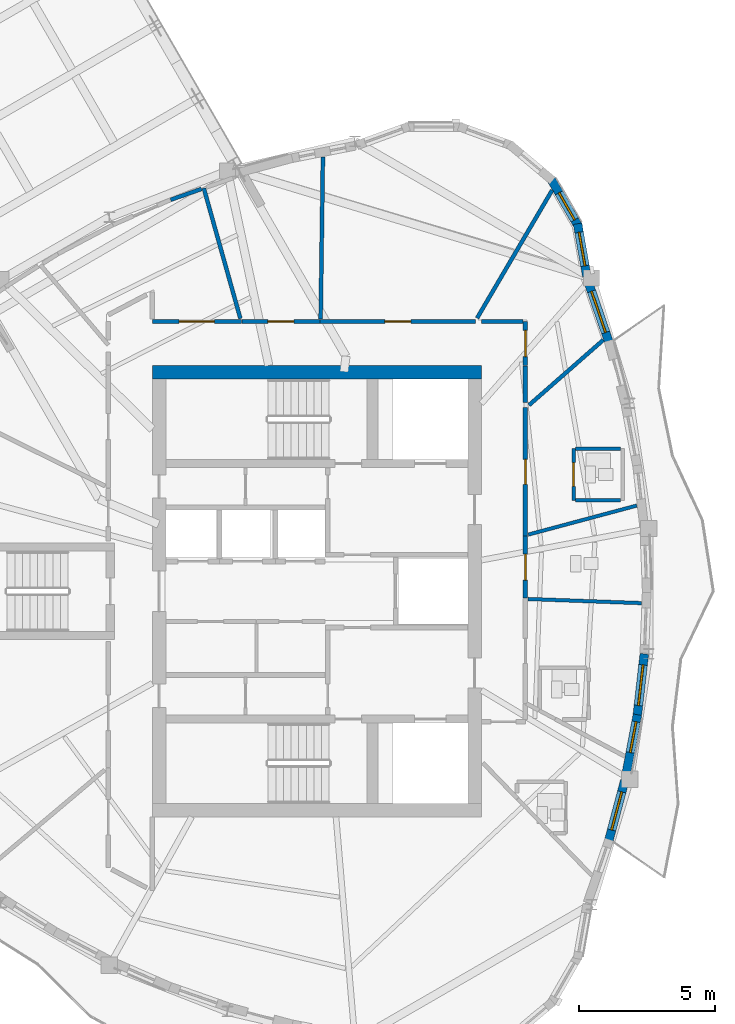
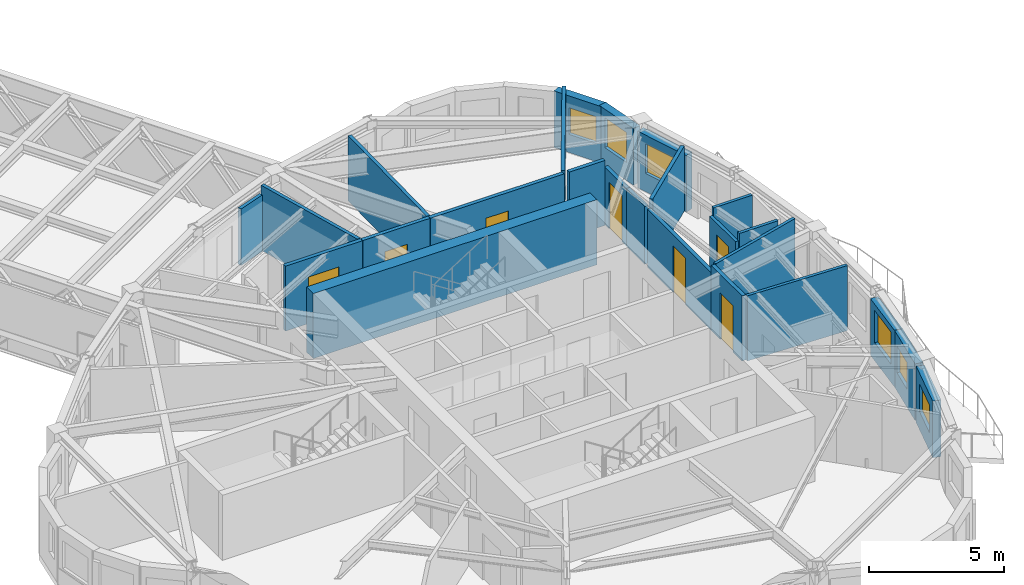
# One storey, part 9 of 14: 25 walls, 7 doors, 6 windows, 13 openings.
"""IFC4 building model written with IfcOpenShell, lengths in metres."""

from ifc_helpers import new_model, si_unit, direction, frame, frame_2d, origin, place, context, subcontext, project, spatial, rectangle, extrude, source, transform, mapped, material, layer, layer_set, type_object, element, fill, save


model = new_model("IFC4")

# Units and contexts
model_context = context("Model", 3, precision=1e-05, world=origin(), true_north=direction((0.0, 1.0)))
body_context = subcontext(model_context, "Body", "Model", "MODEL_VIEW")
ifc_project = project(units=[si_unit("LENGTHUNIT", "METRE"), si_unit("AREAUNIT", "SQUARE_METRE"), si_unit("VOLUMEUNIT", "CUBIC_METRE"), si_unit("PLANEANGLEUNIT", "RADIAN"), si_unit("MASSUNIT", "GRAM", prefix="KILO")], contexts=[model_context])

# Site, building, storey
site_placement = place(None, origin())
site = spatial("IfcSite", under=ifc_project, at=site_placement, CompositionType="ELEMENT")
building_placement = place(site_placement, origin())
building = spatial("IfcBuilding", under=site, at=building_placement, Name="Qafzar Sky-Pleat Residences", CompositionType="ELEMENT")
storey_placement = place(building_placement, frame((0.0, 0.0, 205.199951171875)))
storey = spatial("IfcBuildingStorey", under=building, at=storey_placement, Name="L61", CompositionType="ELEMENT", Elevation=205.199951171875)

# Wall, opening, door
ifc_material_1 = material(Name="Acoustic gypsum plasterboard partition", Category="gypsum")
ifc_layer_1 = layer(ifc_material_1, 0.159912109375)
ifc_layer_set_1 = layer_set([ifc_layer_1], Name="Acoustic gypsum plasterboard partition")
wall_type_1 = type_object("IfcWallType", Name="PART-COR-160", PredefinedType="PARTITIONING", material=ifc_layer_set_1)
wall_1_placement = place(storey_placement, frame((30.47412109375, 35.919921875, 0.0), z_axis=(0.0, 0.0, 1.0), x_axis=(1.0, 0.0, 0.0)))
wall_1 = element("IfcWall", 1, at=wall_1_placement, inside=storey, type_object=wall_type_1, Name="L61 Partition Wall PART-L61-PW-002", PredefinedType="PARTITIONING", context=body_context, shape_type="SweptSolid", body=[
    extrude(rectangle(XDim=5.712890625, YDim=0.159912109375, at=frame_2d((2.8564453125, 0.0))), origin(), (0.0, 0.0, 1.0), 2.93505859375),
])
opening_1_placement = place(wall_1_placement, frame((2.375, 0.0, 0.0)))
opening_1 = element("IfcOpeningElement", 2, at=opening_1_placement, cuts=wall_1, Name="Opening ID-06", PredefinedType="OPENING", context=body_context, shape_type="SweptSolid", body=[
    extrude(rectangle(XDim=0.9599609375, YDim=2.10009765625, at=frame_2d((0.47998046875, 1.050048828125))), frame((0.0, 0.08984375, 0.0), z_axis=(0.0, -1.0, 0.0), x_axis=(1.0, 0.0, 0.0)), (0.0, 0.0, 1.0), 0.179931640625),
])
ifc_material_2 = material(Name="Timber-faced fire door", Category="wood")
door_type_1 = type_object("IfcDoorType", Name="DR-STD-960", OperationType="NOTDEFINED", PredefinedType="DOOR", material=ifc_material_2)
shared_shape_1 = source(origin(), body_context, "Body", "SweptSolid", [
    extrude(rectangle(XDim=0.9599609375, YDim=2.10009765625, at=frame_2d((0.47998046875, 1.050048828125))), frame((0.0, 0.02490234375, 0.0), z_axis=(0.0, -1.0, 0.0), x_axis=(1.0, 0.0, 0.0)), (0.0, 0.0, 1.0), 0.050048828125),
])
door_1_placement = place(opening_1_placement, origin())
door_1 = element("IfcDoor", 3, at=door_1_placement, inside=storey, type_object=door_type_1, Name="L61 Wellness Yoga Studio Door", OperationType="SINGLE_SWING_LEFT", OverallHeight=2.10009765625, OverallWidth=0.9599609375, PredefinedType="DOOR", context=body_context, shape_type="MappedRepresentation", body=[
    mapped(shared_shape_1, transform((0.0, 0.0, 0.0), x_axis=(1.0, 0.0, 0.0), y_axis=(0.0, 1.0, 0.0), z_axis=(0.0, 0.0, 1.0), scale=1.0)),
])
fill(opening_1, door_1)

wall_2_placement = place(storey_placement, frame((38.02001953125, 32.748046875, 0.0), z_axis=(0.0, 0.0, 1.0), x_axis=(0.0, -1.0, 0.0)))
wall_2 = element("IfcWall", 4, at=wall_2_placement, inside=storey, type_object=wall_type_1, Name="L61 Partition Wall PART-L61-PW-003", PredefinedType="PARTITIONING", context=body_context, shape_type="SweptSolid", body=[
    extrude(rectangle(XDim=4.7099609375, YDim=0.159912109375, at=frame_2d((2.35498046875, 0.0))), origin(), (0.0, 0.0, 1.0), 2.60302734375),
])
opening_2_placement = place(wall_2_placement, frame((1.89697265625, 0.0, 0.0)))
opening_2 = element("IfcOpeningElement", 5, at=opening_2_placement, cuts=wall_2, Name="Opening ID-04", PredefinedType="OPENING", context=body_context, shape_type="SweptSolid", body=[
    extrude(rectangle(XDim=0.919921875, YDim=2.10009765625, at=frame_2d((0.4599609375, 1.050048828125))), frame((0.0, 0.08984375, 0.0), z_axis=(0.0, -1.0, 0.0), x_axis=(1.0, 0.0, 0.0)), (0.0, 0.0, 1.0), 0.179931640625),
])
door_type_2 = type_object("IfcDoorType", Name="DR-BED-920", OperationType="NOTDEFINED", PredefinedType="DOOR", material=ifc_material_2)
shared_shape_2 = source(origin(), body_context, "Body", "SweptSolid", [
    extrude(rectangle(XDim=0.919921875, YDim=2.10009765625, at=frame_2d((0.4599609375, 1.050048828125))), frame((0.0, 0.02490234375, 0.0), z_axis=(0.0, -1.0, 0.0), x_axis=(1.0, 0.0, 0.0)), (0.0, 0.0, 1.0), 0.050048828125),
])
door_2_placement = place(opening_2_placement, origin())
door_2 = element("IfcDoor", 6, at=door_2_placement, inside=storey, type_object=door_type_2, Name="L61 Co-Living Bedroom 3 Door", OperationType="SINGLE_SWING_RIGHT", OverallHeight=2.10009765625, OverallWidth=0.919921875, PredefinedType="DOOR", context=body_context, shape_type="MappedRepresentation", body=[
    mapped(shared_shape_2, transform((0.0, 0.0, 0.0), x_axis=(1.0, 0.0, 0.0), y_axis=(0.0, 1.0, 0.0), z_axis=(0.0, 0.0, 1.0), scale=1.0)),
])
fill(opening_2, door_2)

wall_3_placement = place(storey_placement, frame((24.300048828125, 35.919921875, 0.0), z_axis=(0.0, 0.0, 1.0), x_axis=(1.0, 0.0, 0.0)))
wall_3 = element("IfcWall", 7, at=wall_3_placement, inside=storey, type_object=wall_type_1, Name="L61 Partition Wall PART-L61-PW-008", PredefinedType="PARTITIONING", context=body_context, shape_type="SweptSolid", body=[
    extrude(rectangle(XDim=3.282958984375, YDim=0.159912109375, at=frame_2d((1.6416015625, 0.0))), origin(), (0.0, 0.0, 1.0), 2.93505859375),
])
opening_3_placement = place(wall_3_placement, frame((0.98388671875, 0.0, 0.0)))
opening_3 = element("IfcOpeningElement", 8, at=opening_3_placement, cuts=wall_3, Name="Opening ID-05", PredefinedType="OPENING", context=body_context, shape_type="SweptSolid", body=[
    extrude(rectangle(XDim=1.300048828125, YDim=2.10009765625, at=frame_2d((0.64990234375, 1.050048828125))), frame((0.0, 0.08984375, 0.0), z_axis=(0.0, -1.0, 0.0), x_axis=(1.0, 0.0, 0.0)), (0.0, 0.0, 1.0), 0.179931640625),
])
door_type_3 = type_object("IfcDoorType", Name="DR-LNG-1300", OperationType="DOUBLE_DOOR_SINGLE_SWING", PredefinedType="DOOR", material=ifc_material_2)
shared_shape_3 = source(origin(), body_context, "Body", "SweptSolid", [
    extrude(rectangle(XDim=1.300048828125, YDim=2.10009765625, at=frame_2d((0.64990234375, 1.050048828125))), frame((0.0, 0.02490234375, 0.0), z_axis=(0.0, -1.0, 0.0), x_axis=(1.0, 0.0, 0.0)), (0.0, 0.0, 1.0), 0.050048828125),
])
door_3_placement = place(opening_3_placement, origin())
door_3 = element("IfcDoor", 9, at=door_3_placement, inside=storey, type_object=door_type_3, Name="L61 Co-Living Lounge Door", OperationType="DOUBLE_DOOR_SINGLE_SWING", OverallHeight=2.10009765625, OverallWidth=1.300048828125, PredefinedType="DOOR", context=body_context, shape_type="MappedRepresentation", body=[
    mapped(shared_shape_3, transform((0.0, 0.0, 0.0), x_axis=(1.0, 0.0, 0.0), y_axis=(0.0, 1.0, 0.0), z_axis=(0.0, 0.0, 1.0), scale=1.0)),
])
fill(opening_3, door_3)

wall_4_placement = place(storey_placement, frame((27.597900390625, 35.919921875, 0.0), z_axis=(0.0, 0.0, 1.0), x_axis=(1.0, 0.0, 0.0)))
wall_4 = element("IfcWall", 10, at=wall_4_placement, inside=storey, type_object=wall_type_1, Name="L61 Partition Wall PART-L61-PW-009", PredefinedType="PARTITIONING", context=body_context, shape_type="SweptSolid", body=[
    extrude(rectangle(XDim=2.861083984375, YDim=0.159912109375, at=frame_2d((1.4306640625, 0.0))), origin(), (0.0, 0.0, 1.0), 2.93505859375),
])
opening_4_placement = place(wall_4_placement, frame((0.949951171875, 0.0, 0.0)))
opening_4 = element("IfcOpeningElement", 11, at=opening_4_placement, cuts=wall_4, Name="Opening ID-06", PredefinedType="OPENING", context=body_context, shape_type="SweptSolid", body=[
    extrude(rectangle(XDim=0.9599609375, YDim=2.10009765625, at=frame_2d((0.47998046875, 1.050048828125))), frame((0.0, 0.08984375, 0.0), z_axis=(0.0, -1.0, 0.0), x_axis=(1.0, 0.0, 0.0)), (0.0, 0.0, 1.0), 0.179931640625),
])
door_4_placement = place(opening_4_placement, origin())
door_4 = element("IfcDoor", 12, at=door_4_placement, inside=storey, type_object=door_type_1, Name="L61 Quiet Prayer Room Door", OperationType="SINGLE_SWING_LEFT", OverallHeight=2.10009765625, OverallWidth=0.9599609375, PredefinedType="DOOR", context=body_context, shape_type="MappedRepresentation", body=[
    mapped(shared_shape_1, transform((0.0, 0.0, 0.0), x_axis=(1.0, 0.0, 0.0), y_axis=(0.0, 1.0, 0.0), z_axis=(0.0, 0.0, 1.0), scale=1.0)),
])
fill(opening_4, door_4)

wall_5_placement = place(storey_placement, frame((38.02001953125, 28.02294921875, 0.0), z_axis=(0.0, 0.0, 1.0), x_axis=(0.0, -1.0, 0.0)))
wall_5 = element("IfcWall", 13, at=wall_5_placement, inside=storey, type_object=wall_type_1, Name="L61 Partition Wall PART-L61-PW-011", PredefinedType="PARTITIONING", context=body_context, shape_type="SweptSolid", body=[
    extrude(rectangle(XDim=2.27490234375, YDim=0.159912109375, at=frame_2d((1.137451171875, 0.0))), origin(), (0.0, 0.0, 1.0), 2.93505859375),
])
opening_5_placement = place(wall_5_placement, frame((0.662109375, 0.0, 0.0)))
opening_5 = element("IfcOpeningElement", 14, at=opening_5_placement, cuts=wall_5, Name="Opening ID-08", PredefinedType="OPENING", context=body_context, shape_type="SweptSolid", body=[
    extrude(rectangle(XDim=0.949951171875, YDim=2.10009765625, at=frame_2d((0.47509765625, 1.050048828125))), frame((0.0, 0.08984375, 0.0), z_axis=(0.0, -1.0, 0.0), x_axis=(1.0, 0.0, 0.0)), (0.0, 0.0, 1.0), 0.179931640625),
])
door_type_4 = type_object("IfcDoorType", Name="DR-AWC-950", OperationType="NOTDEFINED", PredefinedType="DOOR", material=ifc_material_2)
shared_shape_4 = source(origin(), body_context, "Body", "SweptSolid", [
    extrude(rectangle(XDim=0.949951171875, YDim=2.10009765625, at=frame_2d((0.47509765625, 1.050048828125))), frame((0.0, 0.02490234375, 0.0), z_axis=(0.0, -1.0, 0.0), x_axis=(1.0, 0.0, 0.0)), (0.0, 0.0, 1.0), 0.050048828125),
])
door_5_placement = place(opening_5_placement, origin())
door_5 = element("IfcDoor", 15, at=door_5_placement, inside=storey, type_object=door_type_4, Name="L61 Accessible Shared Washroom Door", OperationType="SINGLE_SWING_LEFT", OverallHeight=2.10009765625, OverallWidth=0.949951171875, PredefinedType="DOOR", context=body_context, shape_type="MappedRepresentation", body=[
    mapped(shared_shape_4, transform((0.0, 0.0, 0.0), x_axis=(1.0, 0.0, 0.0), y_axis=(0.0, 1.0, 0.0), z_axis=(0.0, 0.0, 1.0), scale=1.0)),
])
fill(opening_5, door_5)

wall_6_placement = place(storey_placement, frame((38.02001953125, 35.919921875, 0.0), z_axis=(0.0, 0.0, 1.0), x_axis=(0.0, -1.0, 0.0)))
wall_6 = element("IfcWall", 16, at=wall_6_placement, inside=storey, type_object=wall_type_1, Name="L61 Partition Wall PART-L61-PW-017", PredefinedType="PARTITIONING", context=body_context, shape_type="SweptSolid", body=[
    extrude(rectangle(XDim=1.619873046875, YDim=0.159912109375, at=frame_2d((0.81005859375, 0.0))), origin(), (0.0, 0.0, 1.0), 2.60302734375),
])
opening_6_placement = place(wall_6_placement, frame((0.330078125, 0.0, 0.0)))
opening_6 = element("IfcOpeningElement", 17, at=opening_6_placement, cuts=wall_6, Name="Opening ID-06", PredefinedType="OPENING", context=body_context, shape_type="SweptSolid", body=[
    extrude(rectangle(XDim=0.9599609375, YDim=2.10009765625, at=frame_2d((0.47998046875, 1.050048828125))), frame((0.0, 0.08984375, 0.0), z_axis=(0.0, -1.0, 0.0), x_axis=(1.0, 0.0, 0.0)), (0.0, 0.0, 1.0), 0.179931640625),
])
door_6_placement = place(opening_6_placement, origin())
door_6 = element("IfcDoor", 18, at=door_6_placement, inside=storey, type_object=door_type_1, Name="L61 Communal Kitchen Door", OperationType="SINGLE_SWING_LEFT", OverallHeight=2.10009765625, OverallWidth=0.9599609375, PredefinedType="DOOR", context=body_context, shape_type="MappedRepresentation", body=[
    mapped(shared_shape_1, transform((0.0, 0.0, 0.0), x_axis=(1.0, 0.0, 0.0), y_axis=(0.0, 1.0, 0.0), z_axis=(0.0, 0.0, 1.0), scale=1.0)),
])
fill(opening_6, door_6)

# Walls
wall_7_placement = place(storey_placement, frame((36.39990234375, 35.919921875, 0.0), z_axis=(0.0, 0.0, 1.0), x_axis=(1.0, 0.0, 0.0)))
element("IfcWall", 19, at=wall_7_placement, inside=storey, type_object=wall_type_1, Name="L61 Partition Wall PART-L61-PW-039", PredefinedType="PARTITIONING", context=body_context, shape_type="SweptSolid", body=[
    extrude(rectangle(XDim=1.531982421875, YDim=0.159912109375, at=frame_2d((0.76611328125, 0.0))), origin(), (0.0, 0.0, 1.0), 2.93505859375),
])
wall_8_placement = place(storey_placement, frame((38.02001953125, 32.9375, 0.0), z_axis=(0.0, 0.0, 1.0), x_axis=(0.0, 1.0, 0.0)))
element("IfcWall", 20, at=wall_8_placement, inside=storey, type_object=wall_type_1, Name="L61 Partition Wall PART-L61-PW-043", PredefinedType="PARTITIONING", context=body_context, shape_type="SweptSolid", body=[
    extrude(rectangle(XDim=1.347412109375, YDim=0.159912109375, at=frame_2d((0.673828125, 0.0))), origin(), (0.0, 0.0, 1.0), 2.60302734375),
])
ifc_layer_2 = layer(ifc_material_1, 0.14501953125)
ifc_layer_set_2 = layer_set([ifc_layer_2], Name="Acoustic gypsum plasterboard partition")
wall_type_2 = type_object("IfcWallType", Name="PART-UNIT-145", PredefinedType="PARTITIONING", material=ifc_layer_set_2)
wall_9_placement = place(storey_placement, frame((30.4892578125, 36.009033203125, 0.0), z_axis=(0.0, 0.0, 1.0), x_axis=(0.013978627514, 0.999902294213, 0.0)))
element("IfcWall", 21, at=wall_9_placement, inside=storey, type_object=wall_type_2, Name="L61 Partition Wall PART-L61-PW-020", PredefinedType="PARTITIONING", context=body_context, shape_type="SweptSolid", body=[
    extrude(rectangle(XDim=5.95556640625, YDim=0.14501953125, at=frame_2d((2.977783203125, 0.0))), origin(), (0.0, 0.0, 1.0), 2.93505859375),
])
wall_10_placement = place(storey_placement, frame((36.242431640625, 36.043701171875, 0.0), z_axis=(0.0, 0.0, 1.0), x_axis=(0.50599508157, 0.862536362959, 0.0)))
element("IfcWall", 22, at=wall_10_placement, inside=storey, type_object=wall_type_2, Name="L61 Partition Wall PART-L61-PW-021", PredefinedType="PARTITIONING", context=body_context, shape_type="SweptSolid", body=[
    extrude(rectangle(XDim=5.4560546875, YDim=0.14501953125, at=frame_2d((2.72802734375, 0.0))), origin(), (0.0, 0.0, 1.0), 2.93505859375),
])
wall_11_placement = place(storey_placement, frame((26.19189453125, 40.822998046875, 0.0), z_axis=(0.0, 0.0, 1.0), x_axis=(0.270218926069, -0.962798905273, 0.0)))
element("IfcWall", 23, at=wall_11_placement, inside=storey, type_object=wall_type_2, Name="L61 Partition Wall PART-L61-PW-023", PredefinedType="PARTITIONING", context=body_context, shape_type="SweptSolid", body=[
    extrude(rectangle(XDim=4.98095703125, YDim=0.14501953125, at=frame_2d((2.490478515625, 0.0))), origin(), (0.0, 0.0, 1.0), 2.93505859375),
])
wall_12_placement = place(storey_placement, frame((38.15380859375, 32.845458984375, 0.0), z_axis=(0.0, 0.0, 1.0), x_axis=(0.751793032372, 0.659399148071, 0.0)))
element("IfcWall", 24, at=wall_12_placement, inside=storey, type_object=wall_type_2, Name="L61 Partition Wall PART-L61-PW-027", PredefinedType="PARTITIONING", context=body_context, shape_type="SweptSolid", body=[
    extrude(rectangle(XDim=3.630615234375, YDim=0.14501953125, at=frame_2d((1.8154296875, 0.0))), origin(), (0.0, 0.0, 1.0), 2.93505859375),
])
wall_13_placement = place(storey_placement, frame((24.97314453125, 40.39697265625, 0.0), z_axis=(0.0, 0.0, 1.0), x_axis=(0.943987684609, 0.329980683232, 0.0)))
element("IfcWall", 25, at=wall_13_placement, inside=storey, type_object=wall_type_2, Name="L61 Partition Wall PART-L61-PW-045", PredefinedType="PARTITIONING", context=body_context, shape_type="SweptSolid", body=[
    extrude(rectangle(XDim=1.2060546875, YDim=0.14501953125, at=frame_2d((0.60302734375, 0.0))), origin(), (0.0, 0.0, 1.0), 2.54296875),
])

# Wall, opening, door
ifc_material_3 = material(Name="Moisture-resistant gypsum partition", Category="gypsum")
ifc_layer_3 = layer(ifc_material_3, 0.1298828125)
ifc_layer_set_3 = layer_set([ifc_layer_3], Name="Moisture-resistant gypsum partition")
wall_type_3 = type_object("IfcWallType", Name="PART-WET-130", PredefinedType="PARTITIONING", material=ifc_layer_set_3)
wall_14_placement = place(storey_placement, frame((39.794921875, 31.243896484375, 0.0), z_axis=(0.0, 0.0, 1.0), x_axis=(0.0, -1.0, 0.0)))
wall_14 = element("IfcWall", 26, at=wall_14_placement, inside=storey, type_object=wall_type_3, Name="L61 Partition Wall PART-L61-PW-015", PredefinedType="PARTITIONING", context=body_context, shape_type="SweptSolid", body=[
    extrude(rectangle(XDim=1.89990234375, YDim=0.1298828125, at=frame_2d((0.949951171875, 0.0))), origin(), (0.0, 0.0, 1.0), 2.572998046875),
])
opening_7_placement = place(wall_14_placement, frame((0.510009765625, 0.0, 0.0)))
opening_7 = element("IfcOpeningElement", 27, at=opening_7_placement, cuts=wall_14, Name="Opening ID-07", PredefinedType="OPENING", context=body_context, shape_type="SweptSolid", body=[
    extrude(rectangle(XDim=0.8798828125, YDim=2.050048828125, at=frame_2d((0.43994140625, 1.02490234375))), frame((0.0, 0.074951171875, 0.0), z_axis=(0.0, -1.0, 0.0), x_axis=(1.0, 0.0, 0.0)), (0.0, 0.0, 1.0), 0.14990234375),
])
door_type_5 = type_object("IfcDoorType", Name="DR-WET-880", OperationType="NOTDEFINED", PredefinedType="DOOR", material=ifc_material_2)
shared_shape_5 = source(origin(), body_context, "Body", "SweptSolid", [
    extrude(rectangle(XDim=0.8798828125, YDim=2.050048828125, at=frame_2d((0.43994140625, 1.02490234375))), frame((0.0, 0.02490234375, 0.0), z_axis=(0.0, -1.0, 0.0), x_axis=(1.0, 0.0, 0.0)), (0.0, 0.0, 1.0), 0.050048828125),
])
door_7_placement = place(opening_7_placement, origin())
door_7 = element("IfcDoor", 28, at=door_7_placement, inside=storey, type_object=door_type_5, Name="L61 En-suite Bathroom 3 Door", OperationType="SINGLE_SWING_LEFT", OverallHeight=2.050048828125, OverallWidth=0.8798828125, PredefinedType="DOOR", context=body_context, shape_type="MappedRepresentation", body=[
    mapped(shared_shape_5, transform((0.0, 0.0, 0.0), x_axis=(1.0, 0.0, 0.0), y_axis=(0.0, 1.0, 0.0), z_axis=(0.0, 0.0, 1.0), scale=1.0)),
])
fill(opening_7, door_7)

# Walls
wall_15_placement = place(storey_placement, frame((38.1103515625, 25.714599609375, 0.0), z_axis=(0.0, 0.0, 1.0), x_axis=(0.99933433165, -0.036481414253, 0.0)))
element("IfcWall", 29, at=wall_15_placement, inside=storey, type_object=wall_type_3, Name="L61 Partition Wall PART-L61-PW-024", PredefinedType="PARTITIONING", context=body_context, shape_type="SweptSolid", body=[
    extrude(rectangle(XDim=4.189208984375, YDim=0.1298828125, at=frame_2d((2.0947265625, 0.0))), origin(), (0.0, 0.0, 1.0), 2.93505859375),
])
wall_16_placement = place(storey_placement, frame((38.12451171875, 28.08203125, 0.0), z_axis=(0.0, 0.0, 1.0), x_axis=(0.965997321458, 0.258552073934, 0.0)))
element("IfcWall", 30, at=wall_16_placement, inside=storey, type_object=wall_type_3, Name="L61 Partition Wall PART-L61-PW-025", PredefinedType="PARTITIONING", context=body_context, shape_type="SweptSolid", body=[
    extrude(rectangle(XDim=4.134033203125, YDim=0.1298828125, at=frame_2d((2.06689453125, 0.0))), origin(), (0.0, 0.0, 1.0), 2.93505859375),
])
for number, where, z_axis, x_axis, name in (
    (31, (39.867919921875, 31.243896484375, 0.0), (0.0, 0.0, 1.0), (1.0, 0.0, 0.0), "L61 Partition Wall PART-L61-PW-036"),
    (32, (39.867919921875, 29.343994140625, 0.0), (0.0, 0.0, 1.0), (1.0, 0.0, 0.0), "L61 Partition Wall PART-L61-PW-037"),
):
    element("IfcWall", number, at=place(storey_placement, frame(where, z_axis=z_axis, x_axis=x_axis)), inside=storey, type_object=wall_type_3, Name=name, PredefinedType="PARTITIONING", context=body_context, shape_type="SweptSolid", body=[
        extrude(rectangle(XDim=1.654052734375, YDim=0.1298828125, at=frame_2d((0.8271484375, 0.0))), origin(), (0.0, 0.0, 1.0), 2.93505859375),
    ])

# Wall, opening, window
ifc_material_4 = material(Name="Precast concrete C40/50 with honed Riyadh limestone", Category="concrete")
ifc_layer_4 = layer(ifc_material_4, 0.320068359375)
ifc_layer_set_4 = layer_set([ifc_layer_4], Name="Precast concrete C40/50 with honed Riyadh limestone")
wall_type_4 = type_object("IfcWallType", Name="WALL-EXT-320", PredefinedType="SOLIDWALL", material=ifc_layer_set_4)
wall_17_placement = place(storey_placement, frame((41.076171875, 16.786376953125, 0.0), z_axis=(0.0, 0.0, 1.0), x_axis=(0.257037260973, 0.966401493413, 0.0)))
wall_17 = element("IfcWall", 33, at=wall_17_placement, inside=storey, type_object=wall_type_4, Name="L61 Limestone Facade Wall 24", PredefinedType="SOLIDWALL", context=body_context, shape_type="SweptSolid", body=[
    extrude(rectangle(XDim=2.332763671875, YDim=0.320068359375, at=frame_2d((1.16650390625, 0.0))), origin(), (0.0, 0.0, 1.0), 2.554931640625),
])
opening_8_placement = place(wall_17_placement, frame((0.4462890625, 0.0, 0.820068359375)))
opening_8 = element("IfcOpeningElement", 34, at=opening_8_placement, cuts=wall_17, Name="Opening WN-15", PredefinedType="OPENING", context=body_context, shape_type="SweptSolid", body=[
    extrude(rectangle(XDim=1.449951171875, YDim=1.25, at=frame_2d((0.72509765625, 0.625))), frame((0.0, 0.169921875, 0.0), z_axis=(0.0, -1.0, 0.0), x_axis=(1.0, 0.0, 0.0)), (0.0, 0.0, 1.0), 0.340087890625),
])
ifc_material_5 = material(Name="Solar-control low-E glass in bronze aluminium frame", Category="glass")
window_type_1 = type_object("IfcWindowType", Name="WIN-15", PartitioningType="SINGLE_PANEL", PredefinedType="WINDOW", material=ifc_material_5)
shared_shape_6 = source(origin(), body_context, "Body", "SweptSolid", [
    extrude(rectangle(XDim=1.449951171875, YDim=1.25, at=frame_2d((0.72509765625, 0.625))), frame((0.0, 0.030029296875, 0.0), z_axis=(0.0, -1.0, 0.0), x_axis=(1.0, 0.0, 0.0)), (0.0, 0.0, 1.0), 0.06005859375),
])
window_1_placement = place(opening_8_placement, origin())
window_1 = element("IfcWindow", 35, at=window_1_placement, inside=storey, type_object=window_type_1, Name="L61 Punched Facade Window 24", OverallHeight=1.25, OverallWidth=1.449951171875, PartitioningType="SINGLE_PANEL", PredefinedType="WINDOW", context=body_context, shape_type="MappedRepresentation", body=[
    mapped(shared_shape_6, transform((0.0, 0.0, 0.0), x_axis=(1.0, 0.0, 0.0), y_axis=(0.0, 1.0, 0.0), z_axis=(0.0, 0.0, 1.0), scale=1.0)),
])
fill(opening_8, window_1)

wall_18_placement = place(storey_placement, frame((41.713134765625, 19.204833984375, 0.0), z_axis=(0.0, 0.0, 1.0), x_axis=(0.186691464441, 0.982418595663, 0.0)))
wall_18 = element("IfcWall", 36, at=wall_18_placement, inside=storey, type_object=wall_type_4, Name="L61 Limestone Facade Wall 25", PredefinedType="SOLIDWALL", context=body_context, shape_type="SweptSolid", body=[
    extrude(rectangle(XDim=2.293701171875, YDim=0.320068359375, at=frame_2d((1.14697265625, 0.0))), origin(), (0.0, 0.0, 1.0), 2.554931640625),
])
opening_9_placement = place(wall_18_placement, frame((0.880126953125, 0.0, 0.820068359375)))
opening_9 = element("IfcOpeningElement", 37, at=opening_9_placement, cuts=wall_18, Name="Opening WN-16", PredefinedType="OPENING", context=body_context, shape_type="SweptSolid", body=[
    extrude(rectangle(XDim=1.14990234375, YDim=1.199951171875, at=frame_2d((0.574951171875, 0.60009765625))), frame((0.0, 0.169921875, 0.0), z_axis=(0.0, -1.0, 0.0), x_axis=(1.0, 0.0, 0.0)), (0.0, 0.0, 1.0), 0.340087890625),
])
window_type_2 = type_object("IfcWindowType", Name="WIN-16", PartitioningType="SINGLE_PANEL", PredefinedType="WINDOW", material=ifc_material_5)
shared_shape_7 = source(origin(), body_context, "Body", "SweptSolid", [
    extrude(rectangle(XDim=1.14990234375, YDim=1.199951171875, at=frame_2d((0.574951171875, 0.60009765625))), frame((0.0, 0.030029296875, 0.0), z_axis=(0.0, -1.0, 0.0), x_axis=(1.0, 0.0, 0.0)), (0.0, 0.0, 1.0), 0.06005859375),
])
window_2_placement = place(opening_9_placement, origin())
window_2 = element("IfcWindow", 38, at=window_2_placement, inside=storey, type_object=window_type_2, Name="L61 Punched Facade Window 25-2", OverallHeight=1.199951171875, OverallWidth=1.14990234375, PartitioningType="SINGLE_PANEL", PredefinedType="WINDOW", context=body_context, shape_type="MappedRepresentation", body=[
    mapped(shared_shape_7, transform((0.0, 0.0, 0.0), x_axis=(1.0, 0.0, 0.0), y_axis=(0.0, 1.0, 0.0), z_axis=(0.0, 0.0, 1.0), scale=1.0)),
])
fill(opening_9, window_2)

wall_19_placement = place(storey_placement, frame((42.128173828125, 21.371337890625, 0.0), z_axis=(0.0, 0.0, 1.0), x_axis=(0.113319777802, 0.993558567956, 0.0)))
wall_19 = element("IfcWall", 39, at=wall_19_placement, inside=storey, type_object=wall_type_4, Name="L61 Limestone Facade Wall 26", PredefinedType="SOLIDWALL", context=body_context, shape_type="SweptSolid", body=[
    extrude(rectangle(XDim=2.337646484375, YDim=0.320068359375, at=frame_2d((1.1689453125, 0.0))), origin(), (0.0, 0.0, 1.0), 2.554931640625),
])
opening_10_placement = place(wall_19_placement, frame((0.4287109375, 0.0, 0.820068359375)))
opening_10 = element("IfcOpeningElement", 40, at=opening_10_placement, cuts=wall_19, Name="Opening WN-03", PredefinedType="OPENING", context=body_context, shape_type="SweptSolid", body=[
    extrude(rectangle(XDim=1.5, YDim=1.449951171875, at=frame_2d((0.75, 0.72509765625))), frame((0.0, 0.169921875, 0.0), z_axis=(0.0, -1.0, 0.0), x_axis=(1.0, 0.0, 0.0)), (0.0, 0.0, 1.0), 0.340087890625),
])
window_type_3 = type_object("IfcWindowType", Name="WIN-03", PartitioningType="DOUBLE_PANEL_VERTICAL", PredefinedType="WINDOW", material=ifc_material_5)
shared_shape_8 = source(origin(), body_context, "Body", "SweptSolid", [
    extrude(rectangle(XDim=1.5, YDim=1.449951171875, at=frame_2d((0.75, 0.72509765625))), frame((0.0, 0.030029296875, 0.0), z_axis=(0.0, -1.0, 0.0), x_axis=(1.0, 0.0, 0.0)), (0.0, 0.0, 1.0), 0.06005859375),
])
window_3_placement = place(opening_10_placement, origin())
window_3 = element("IfcWindow", 41, at=window_3_placement, inside=storey, type_object=window_type_3, Name="L61 Punched Facade Window 26", OverallHeight=1.449951171875, OverallWidth=1.5, PartitioningType="SINGLE_PANEL", PredefinedType="WINDOW", context=body_context, shape_type="MappedRepresentation", body=[
    mapped(shared_shape_8, transform((0.0, 0.0, 0.0), x_axis=(1.0, 0.0, 0.0), y_axis=(0.0, 1.0, 0.0), z_axis=(0.0, 0.0, 1.0), scale=1.0)),
])
fill(opening_10, window_3)

wall_20_placement = place(storey_placement, frame((41.1015625, 35.13037109375, 0.0), z_axis=(0.0, 0.0, 1.0), x_axis=(-0.323685265908, 0.946164810503, 0.0)))
wall_20 = element("IfcWall", 42, at=wall_20_placement, inside=storey, type_object=wall_type_4, Name="L61 Limestone Facade Wall 32", PredefinedType="SOLIDWALL", context=body_context, shape_type="SweptSolid", body=[
    extrude(rectangle(XDim=2.383544921875, YDim=0.320068359375, at=frame_2d((1.19189453125, 0.0))), origin(), (0.0, 0.0, 1.0), 2.554931640625),
])
opening_11_placement = place(wall_20_placement, frame((0.408203125, 0.0, 0.820068359375)))
opening_11 = element("IfcOpeningElement", 43, at=opening_11_placement, cuts=wall_20, Name="Opening WN-09", PredefinedType="OPENING", context=body_context, shape_type="SweptSolid", body=[
    extrude(rectangle(XDim=1.60009765625, YDim=1.35009765625, at=frame_2d((0.800048828125, 0.675048828125))), frame((0.0, 0.169921875, 0.0), z_axis=(0.0, -1.0, 0.0), x_axis=(1.0, 0.0, 0.0)), (0.0, 0.0, 1.0), 0.340087890625),
])
window_type_4 = type_object("IfcWindowType", Name="WIN-09", PartitioningType="DOUBLE_PANEL_VERTICAL", PredefinedType="WINDOW", material=ifc_material_5)
shared_shape_9 = source(origin(), body_context, "Body", "SweptSolid", [
    extrude(rectangle(XDim=1.60009765625, YDim=1.35009765625, at=frame_2d((0.800048828125, 0.675048828125))), frame((0.0, 0.030029296875, 0.0), z_axis=(0.0, -1.0, 0.0), x_axis=(1.0, 0.0, 0.0)), (0.0, 0.0, 1.0), 0.06005859375),
])
window_4_placement = place(opening_11_placement, origin())
window_4 = element("IfcWindow", 44, at=window_4_placement, inside=storey, type_object=window_type_4, Name="L61 Punched Facade Window 32", OverallHeight=1.35009765625, OverallWidth=1.60009765625, PartitioningType="SINGLE_PANEL", PredefinedType="WINDOW", context=body_context, shape_type="MappedRepresentation", body=[
    mapped(shared_shape_9, transform((0.0, 0.0, 0.0), x_axis=(1.0, 0.0, 0.0), y_axis=(0.0, 1.0, 0.0), z_axis=(0.0, 0.0, 1.0), scale=1.0)),
])
fill(opening_11, window_4)

wall_21_placement = place(storey_placement, frame((40.279296875, 37.583251953125, 0.0), z_axis=(0.0, 0.0, 1.0), x_axis=(-0.173671780312, 0.984803590937, 0.0)))
wall_21 = element("IfcWall", 45, at=wall_21_placement, inside=storey, type_object=wall_type_4, Name="L61 Limestone Facade Wall 33", PredefinedType="SOLIDWALL", context=body_context, shape_type="SweptSolid", body=[
    extrude(rectangle(XDim=1.96240234375, YDim=0.320068359375, at=frame_2d((0.981201171875, 0.0))), origin(), (0.0, 0.0, 1.0), 2.554931640625),
])
opening_12_placement = place(wall_21_placement, frame((0.39111328125, 0.0, 0.820068359375)))
opening_12 = element("IfcOpeningElement", 46, at=opening_12_placement, cuts=wall_21, Name="Opening WN-11", PredefinedType="OPENING", context=body_context, shape_type="SweptSolid", body=[
    extrude(rectangle(XDim=1.25, YDim=1.35009765625, at=frame_2d((0.625, 0.675048828125))), frame((0.0, 0.169921875, 0.0), z_axis=(0.0, -1.0, 0.0), x_axis=(1.0, 0.0, 0.0)), (0.0, 0.0, 1.0), 0.340087890625),
])
window_type_5 = type_object("IfcWindowType", Name="WIN-11", PartitioningType="SINGLE_PANEL", PredefinedType="WINDOW", material=ifc_material_5)
shared_shape_10 = source(origin(), body_context, "Body", "SweptSolid", [
    extrude(rectangle(XDim=1.25, YDim=1.35009765625, at=frame_2d((0.625, 0.675048828125))), frame((0.0, 0.030029296875, 0.0), z_axis=(0.0, -1.0, 0.0), x_axis=(1.0, 0.0, 0.0)), (0.0, 0.0, 1.0), 0.06005859375),
])
window_5_placement = place(opening_12_placement, origin())
window_5 = element("IfcWindow", 47, at=window_5_placement, inside=storey, type_object=window_type_5, Name="L61 Punched Facade Window 33", OverallHeight=1.35009765625, OverallWidth=1.25, PartitioningType="SINGLE_PANEL", PredefinedType="WINDOW", context=body_context, shape_type="MappedRepresentation", body=[
    mapped(shared_shape_10, transform((0.0, 0.0, 0.0), x_axis=(1.0, 0.0, 0.0), y_axis=(0.0, 1.0, 0.0), z_axis=(0.0, 0.0, 1.0), scale=1.0)),
])
fill(opening_12, window_5)

wall_22_placement = place(storey_placement, frame((39.983154296875, 39.393310546875, 0.0), z_axis=(0.0, 0.0, 1.0), x_axis=(-0.499995423472, 0.866028046028, 0.0)))
wall_22 = element("IfcWall", 48, at=wall_22_placement, inside=storey, type_object=wall_type_4, Name="L61 Limestone Facade Wall 34", PredefinedType="SOLIDWALL", context=body_context, shape_type="SweptSolid", body=[
    extrude(rectangle(XDim=2.09033203125, YDim=0.320068359375, at=frame_2d((1.045166015625, 0.0))), origin(), (0.0, 0.0, 1.0), 2.554931640625),
])
opening_13_placement = place(wall_22_placement, frame((0.302978515625, 0.0, 0.820068359375)))
opening_13 = element("IfcOpeningElement", 49, at=opening_13_placement, cuts=wall_22, Name="Opening WN-16", PredefinedType="OPENING", context=body_context, shape_type="SweptSolid", body=[
    extrude(rectangle(XDim=1.14990234375, YDim=1.199951171875, at=frame_2d((0.574951171875, 0.60009765625))), frame((0.0, 0.169921875, 0.0), z_axis=(0.0, -1.0, 0.0), x_axis=(1.0, 0.0, 0.0)), (0.0, 0.0, 1.0), 0.340087890625),
])
window_6_placement = place(opening_13_placement, origin())
window_6 = element("IfcWindow", 50, at=window_6_placement, inside=storey, type_object=window_type_2, Name="L61 Punched Facade Window 34", OverallHeight=1.199951171875, OverallWidth=1.14990234375, PartitioningType="SINGLE_PANEL", PredefinedType="WINDOW", context=body_context, shape_type="MappedRepresentation", body=[
    mapped(shared_shape_7, transform((0.0, 0.0, 0.0), x_axis=(1.0, 0.0, 0.0), y_axis=(0.0, 1.0, 0.0), z_axis=(0.0, 0.0, 1.0), scale=1.0)),
])
fill(opening_13, window_6)

# Wall
ifc_material_6 = material(Name="Concrete C60/75", Category="concrete")
ifc_layer_5 = layer(ifc_material_6, 0.5)
ifc_layer_set_5 = layer_set([ifc_layer_5], Name="Concrete C60/75")
wall_type_5 = type_object("IfcWallType", Name="WALL-SHEAR-500", PredefinedType="SHEAR", material=ifc_layer_set_5)
wall_23_placement = place(storey_placement, frame((36.39990234375, 34.050048828125, 0.0), z_axis=(0.0, 0.0, 1.0), x_axis=(-1.0, 0.0, 0.0)))
element("IfcWall", 51, at=wall_23_placement, inside=storey, type_object=wall_type_5, Name="L61 CORE wall N", PredefinedType="SHEAR", context=body_context, shape_type="SweptSolid", body=[
    extrude(rectangle(XDim=12.099853515625, YDim=0.5, at=frame_2d((6.0498046875, 0.0))), origin(), (0.0, 0.0, 1.0), 2.93505859375),
])

save(model, "model.ifc")
